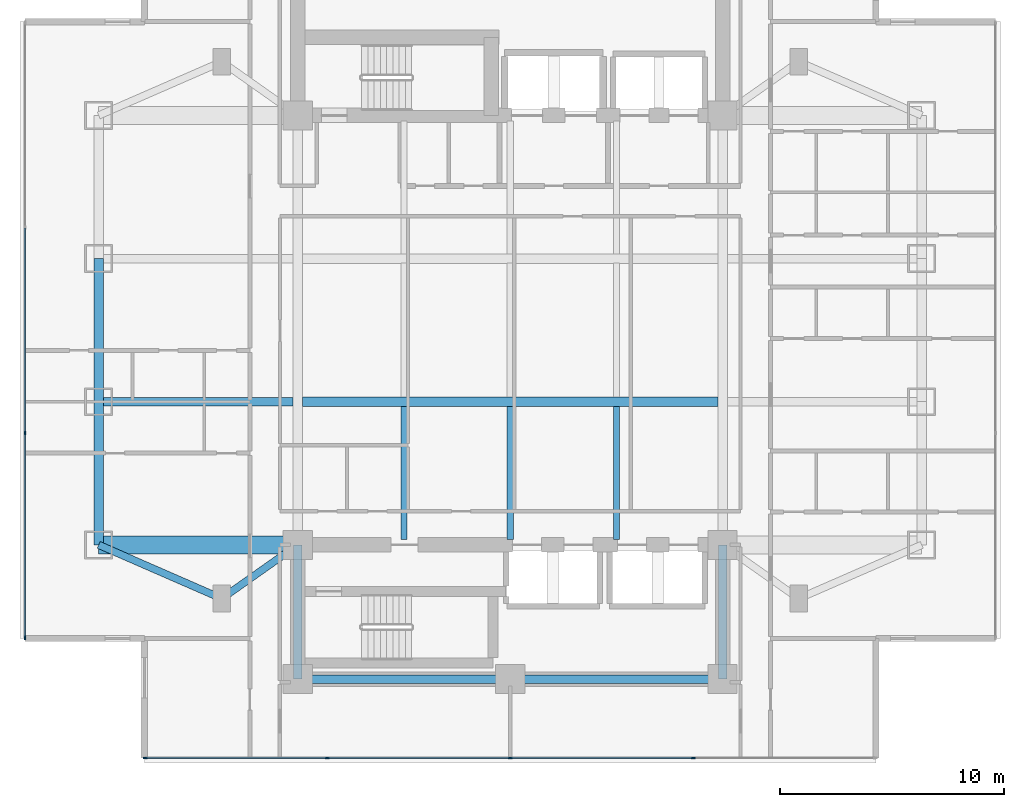
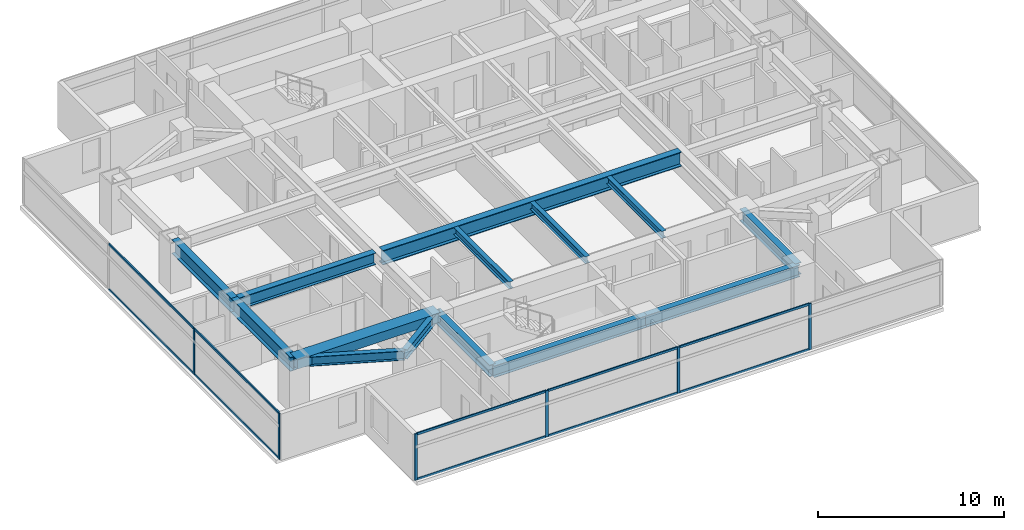
# One storey, part 2 of 24: 16 members, 14 beams, 2 elements without a shape of their own.
"""IFC4 building model written with IfcOpenShell, lengths in metres."""

from ifc_helpers import new_model, si_unit, direction, frame, origin, origin_2d, place, context, subcontext, project, spatial, rectangle, i_section, extrude, material, material_profile, profile_set, type_object, element, aggregate, save


model = new_model("IFC4")

# Units and contexts
model_context = context("Model", 3, precision=1e-05, world=origin(), true_north=direction((0.0, 1.0)))
body_context = subcontext(model_context, "Body", "Model", "MODEL_VIEW")
ifc_project = project(units=[si_unit("LENGTHUNIT", "METRE"), si_unit("AREAUNIT", "SQUARE_METRE"), si_unit("VOLUMEUNIT", "CUBIC_METRE"), si_unit("PLANEANGLEUNIT", "RADIAN"), si_unit("MASSUNIT", "GRAM", prefix="KILO")], contexts=[model_context])

# Site, building, storey
site_placement = place(None, origin())
site = spatial("IfcSite", under=ifc_project, at=site_placement, CompositionType="ELEMENT")
building_placement = place(site_placement, origin())
building = spatial("IfcBuilding", under=site, at=building_placement, Name="Mirazonda Arch Towers", CompositionType="ELEMENT")
storey_placement = place(building_placement, frame((0.0, 0.0, 65.300048828125)))
storey = spatial("IfcBuildingStorey", under=building, at=storey_placement, Name="L18", CompositionType="ELEMENT", Elevation=65.300048828125)

# Beams
ifc_material_1 = material(Name="Steel ASTM A992 Grade 50", Category="steel")
ifc_material_profile_1 = material_profile(ifc_material_1, i_section(OverallWidth=0.41796875, OverallDepth=0.927001953125, WebThickness=0.019287109375, FlangeThickness=0.031982421875, at=origin_2d()), Name="W36X231")
ifc_profile_set_1 = profile_set([ifc_material_profile_1], Name="Steel ASTM A992 Grade 50")
beam_type_1 = type_object("IfcBeamType", Name="BM-EXT-W36X231", PredefinedType="USERDEFINED", material=ifc_profile_set_1)
beam_1_placement = place(storey_placement, frame((2.10009765625, 18.39990234375, 2.596435546875), z_axis=(0.0, 1.0, 0.0), x_axis=(-1.0, 0.0, 0.0)))
element("IfcBeam", 1, at=beam_1_placement, inside=storey, type_object=beam_type_1, Name="L18 Floor Beam BM-T1-L18-NS-W-18", ObjectType="GIRDER", PredefinedType="USERDEFINED", context=body_context, shape_type="SweptSolid", body=[
    extrude(i_section(OverallWidth=0.41796875, OverallDepth=0.927001953125, WebThickness=0.019287109375, FlangeThickness=0.031982421875, at=origin_2d()), origin(), (0.0, 0.0, 1.0), 6.400146484375),
])
beam_2_placement = place(storey_placement, frame((2.10009765625, 24.800048828125, 2.596435546875), z_axis=(0.0, 1.0, 0.0), x_axis=(-1.0, 0.0, 0.0)))
element("IfcBeam", 2, at=beam_2_placement, inside=storey, type_object=beam_type_1, Name="L18 Floor Beam BM-T1-L18-NS-W-24", ObjectType="GIRDER", PredefinedType="USERDEFINED", context=body_context, shape_type="SweptSolid", body=[
    extrude(i_section(OverallWidth=0.41796875, OverallDepth=0.927001953125, WebThickness=0.019287109375, FlangeThickness=0.031982421875, at=origin_2d()), origin(), (0.0, 0.0, 1.0), 6.39990234375),
])
ifc_material_profile_2 = material_profile(ifc_material_1, i_section(OverallWidth=0.280029296875, OverallDepth=0.462890625, WebThickness=0.0107421875, FlangeThickness=0.017333984375, at=origin_2d()), Name="W18X76")
ifc_profile_set_2 = profile_set([ifc_material_profile_2], Name="Steel ASTM A992 Grade 50")
beam_type_2 = type_object("IfcBeamType", Name="BM-INT-W18X76", PredefinedType="JOIST", material=ifc_profile_set_2)
for number, where, z_axis, x_axis, name in (
    (3, (15.75, 18.639892578125, 2.828369140625), (0.0, 1.0, 0.0), (-1.0, 0.0, 0.0), "L18 Floor Beam BM-T1-L18-J-157-18"),
    (4, (20.5, 18.639892578125, 2.828369140625), (0.0, 1.0, 0.0), (-1.0, 0.0, 0.0), "L18 Floor Beam BM-T1-L18-J-205-18"),
    (5, (25.25, 18.639892578125, 2.828369140625), (0.0, 1.0, 0.0), (-1.0, 0.0, 0.0), "L18 Floor Beam BM-T1-L18-J-252-18"),
):
    element("IfcBeam", number, at=place(storey_placement, frame(where, z_axis=z_axis, x_axis=x_axis)), inside=storey, type_object=beam_type_2, Name=name, PredefinedType="JOIST", context=body_context, shape_type="SweptSolid", body=[
        extrude(i_section(OverallWidth=0.280029296875, OverallDepth=0.462890625, WebThickness=0.0107421875, FlangeThickness=0.017333984375, at=origin_2d()), origin(), (0.0, 0.0, 1.0), 5.95263671875),
    ])
ifc_material_profile_3 = material_profile(ifc_material_1, i_section(OverallWidth=0.324951171875, OverallDepth=0.615966796875, WebThickness=0.013916015625, FlangeThickness=0.021484375, at=origin_2d()), Name="W24X117")
ifc_profile_set_3 = profile_set([ifc_material_profile_3], Name="Steel ASTM A992 Grade 50")
beam_type_3 = type_object("IfcBeamType", Name="BM-INT-W24X117", PredefinedType="BEAM", material=ifc_profile_set_3)
beam_3_placement = place(storey_placement, frame((7.60009765625, 16.0, 2.751953125), z_axis=(0.816971114901, 0.576678591087, 0.0), x_axis=(-0.576678591087, 0.816971114901, 0.0)))
element("IfcBeam", 6, at=beam_3_placement, inside=storey, type_object=beam_type_3, Name="L18 Floor Beam BM-T1-L18-PL-SW1", PredefinedType="BEAM", context=body_context, shape_type="SweptSolid", body=[
    extrude(i_section(OverallWidth=0.324951171875, OverallDepth=0.615966796875, WebThickness=0.013916015625, FlangeThickness=0.021484375, at=origin_2d()), origin(), (0.0, 0.0, 1.0), 4.16162109375),
])
beam_4_placement = place(storey_placement, frame((7.60009765625, 16.0, 2.751953125), z_axis=(-0.916545343703, 0.399930785183, 0.0), x_axis=(-0.399930785183, -0.916545343703, 0.0)))
element("IfcBeam", 7, at=beam_4_placement, inside=storey, type_object=beam_type_3, Name="L18 Floor Beam BM-T1-L18-PL-SW2", PredefinedType="BEAM", context=body_context, shape_type="SweptSolid", body=[
    extrude(i_section(OverallWidth=0.324951171875, OverallDepth=0.615966796875, WebThickness=0.013916015625, FlangeThickness=0.021484375, at=origin_2d()), origin(), (0.0, 0.0, 1.0), 6.000732421875),
])
ifc_material_profile_4 = material_profile(ifc_material_1, i_section(OverallWidth=0.381103515625, OverallDepth=0.77294921875, WebThickness=0.0166015625, FlangeThickness=0.027099609375, at=origin_2d()), Name="W30X173")
ifc_profile_set_4 = profile_set([ifc_material_profile_4], Name="Steel ASTM A992 Grade 50")
beam_type_4 = type_object("IfcBeamType", Name="BM-INT-W30X173", PredefinedType="USERDEFINED", material=ifc_profile_set_4)
beam_5_placement = place(storey_placement, frame((2.10009765625, 24.800048828125, 2.67333984375), z_axis=(1.0, 0.0, 0.0), x_axis=(0.0, 1.0, 0.0)))
element("IfcBeam", 8, at=beam_5_placement, inside=storey, type_object=beam_type_4, Name="L18 Floor Beam BM-T1-L18-GW2", ObjectType="GIRDER", PredefinedType="USERDEFINED", context=body_context, shape_type="SweptSolid", body=[
    extrude(i_section(OverallWidth=0.381103515625, OverallDepth=0.77294921875, WebThickness=0.0166015625, FlangeThickness=0.027099609375, at=origin_2d()), origin(), (0.0, 0.0, 1.0), 8.6884765625),
])
for number, where, z_axis, x_axis, name in (
    (9, (11.0, 12.39990234375, 2.67333984375), (1.0, 0.0, 0.0), (0.0, 1.0, 0.0), "L18 Floor Beam BM-T1-L18-CS1"),
    (10, (20.5, 12.39990234375, 2.67333984375), (1.0, 0.0, 0.0), (0.0, 1.0, 0.0), "L18 Floor Beam BM-T1-L18-CS2"),
):
    element("IfcBeam", number, at=place(storey_placement, frame(where, z_axis=z_axis, x_axis=x_axis)), inside=storey, type_object=beam_type_4, Name=name, ObjectType="GIRDER", PredefinedType="USERDEFINED", context=body_context, shape_type="SweptSolid", body=[
        extrude(i_section(OverallWidth=0.381103515625, OverallDepth=0.77294921875, WebThickness=0.0166015625, FlangeThickness=0.027099609375, at=origin_2d()), origin(), (0.0, 0.0, 1.0), 9.5),
    ])
for number, where, z_axis, x_axis, name in (
    (11, (11.0, 12.39990234375, 2.67333984375), (0.0, 1.0, 0.0), (-1.0, 0.0, 0.0), "L18 Floor Beam BM-T1-L18-CSW"),
    (12, (30.0, 12.39990234375, 2.67333984375), (0.0, 1.0, 0.0), (-1.0, 0.0, 0.0), "L18 Floor Beam BM-T1-L18-CSE"),
):
    element("IfcBeam", number, at=place(storey_placement, frame(where, z_axis=z_axis, x_axis=x_axis)), inside=storey, type_object=beam_type_4, Name=name, ObjectType="GIRDER", PredefinedType="USERDEFINED", context=body_context, shape_type="SweptSolid", body=[
        extrude(i_section(OverallWidth=0.381103515625, OverallDepth=0.77294921875, WebThickness=0.0166015625, FlangeThickness=0.027099609375, at=origin_2d()), origin(), (0.0, 0.0, 1.0), 6.0),
    ])
ifc_material_profile_5 = material_profile(ifc_material_1, i_section(OverallWidth=0.423095703125, OverallDepth=0.947998046875, WebThickness=0.02392578125, FlangeThickness=0.042724609375, at=origin_2d()), Name="W36X302")
ifc_profile_set_5 = profile_set([ifc_material_profile_5], Name="Steel ASTM A992 Grade 50")
beam_type_5 = type_object("IfcBeamType", Name="BM-INT-W36X302", PredefinedType="USERDEFINED", material=ifc_profile_set_5)
beam_6_placement = place(storey_placement, frame((11.21142578125, 24.800048828125, 2.5859375), z_axis=(1.0, 0.0, 0.0), x_axis=(0.0, 1.0, 0.0)))
element("IfcBeam", 13, at=beam_6_placement, inside=storey, type_object=beam_type_5, Name="L18 Floor Beam BM-T1-L18-GC2", ObjectType="GIRDER", PredefinedType="USERDEFINED", context=body_context, shape_type="SweptSolid", body=[
    extrude(i_section(OverallWidth=0.423095703125, OverallDepth=0.947998046875, WebThickness=0.02392578125, FlangeThickness=0.042724609375, at=origin_2d()), origin(), (0.0, 0.0, 1.0), 18.5771484375),
])
ifc_material_2 = material(Name="Concrete C60/75", Category="concrete")
ifc_material_profile_6 = material_profile(ifc_material_2, rectangle(XDim=0.800048828125, YDim=0.60009765625, at=origin_2d()), Name="RCCB800x600")
ifc_profile_set_6 = profile_set([ifc_material_profile_6], Name="Concrete C60/75")
beam_type_6 = type_object("IfcBeamType", Name="CB-INT-RCCB800x600", PredefinedType="SPANDREL", material=ifc_profile_set_6)
beam_7_placement = place(storey_placement, frame((2.10009765625, 18.39990234375, 2.760009765625), z_axis=(1.0, 0.0, 0.0), x_axis=(0.0, 1.0, 0.0)))
element("IfcBeam", 14, at=beam_7_placement, inside=storey, type_object=beam_type_6, Name="L18 Floor Beam CBC-T1-L18-SW", PredefinedType="SPANDREL", context=body_context, shape_type="SweptSolid", body=[
    extrude(rectangle(XDim=0.800048828125, YDim=0.60009765625, at=origin_2d()), origin(), (0.0, 0.0, 1.0), 8.89990234375),
])

# Curtain wall, members
ifc_material_3 = material(Name="Anodised Aluminium and Low-E Glass", Category="aluminium")
curtain_wall_type = type_object("IfcCurtainWallType", Name="CW-HTL-UNIT", PredefinedType="NOTDEFINED", material=ifc_material_3)
curtain_wall_1_placement = place(storey_placement, origin())
curtain_wall_1 = element("IfcCurtainWall", 15, at=curtain_wall_1_placement, inside=storey, type_object=curtain_wall_type, Name="L18 T1 S Facade CW-L18-T1-S", PredefinedType="NOTDEFINED")
ifc_material_4 = material(Name="Anodised Aluminium Alloy", Category="aluminium")
ifc_material_profile_7 = material_profile(ifc_material_4, rectangle(XDim=0.074951171875, YDim=0.1650390625, at=origin_2d()), Name="ALU-MULL-75x165")
ifc_profile_set_7 = profile_set([ifc_material_profile_7], Name="Anodised Aluminium Alloy")
member_type_1 = type_object("IfcMemberType", Name="MULL-CW-HTL-UNIT", PredefinedType="MULLION", material=ifc_profile_set_7)
member_1_placement = place(storey_placement, frame((28.679931640625, 8.867919921875, 0.0), z_axis=(0.0, 0.0, 1.0), x_axis=(0.0, -1.0, 0.0)))
member_1 = element("IfcMember", 16, at=member_1_placement, type_object=member_type_1, Name="CW-112 mullion 2", PredefinedType="MULLION", context=body_context, shape_type="SweptSolid", body=[
    extrude(rectangle(XDim=0.074951171875, YDim=0.1650390625, at=origin_2d()), origin(), (0.0, 0.0, 1.0), 3.0400390625),
])
member_2_placement = place(storey_placement, frame((20.5, 8.867919921875, 0.0), z_axis=(0.0, 0.0, 1.0), x_axis=(0.0, -1.0, 0.0)))
member_2 = element("IfcMember", 17, at=member_2_placement, type_object=member_type_1, Name="CW-112 mullion 3", PredefinedType="MULLION", context=body_context, shape_type="SweptSolid", body=[
    extrude(rectangle(XDim=0.074951171875, YDim=0.1650390625, at=origin_2d()), origin(), (0.0, 0.0, 1.0), 3.0400390625),
])
member_3_placement = place(storey_placement, frame((12.320068359375, 8.867919921875, 0.0), z_axis=(0.0, 0.0, 1.0), x_axis=(0.0, -1.0, 0.0)))
member_3 = element("IfcMember", 18, at=member_3_placement, type_object=member_type_1, Name="CW-112 mullion 4", PredefinedType="MULLION", context=body_context, shape_type="SweptSolid", body=[
    extrude(rectangle(XDim=0.074951171875, YDim=0.1650390625, at=origin_2d()), origin(), (0.0, 0.0, 1.0), 3.0400390625),
])
member_4_placement = place(storey_placement, frame((4.177490234375, 8.867919921875, 0.0), z_axis=(0.0, 0.0, 1.0), x_axis=(0.0, -1.0, 0.0)))
member_4 = element("IfcMember", 19, at=member_4_placement, type_object=member_type_1, Name="CW-112 mullion 5", PredefinedType="MULLION", context=body_context, shape_type="SweptSolid", body=[
    extrude(rectangle(XDim=0.074951171875, YDim=0.1650390625, at=origin_2d()), origin(), (0.0, 0.0, 1.0), 3.0400390625),
])

curtain_wall_2_placement = place(storey_placement, origin())
curtain_wall_2 = element("IfcCurtainWall", 20, at=curtain_wall_2_placement, inside=storey, type_object=curtain_wall_type, Name="L18 T1 W Facade CW-L18-T1-W", PredefinedType="NOTDEFINED")
member_5_placement = place(storey_placement, frame((-1.199951171875, 23.402587890625, 0.0), z_axis=(0.0, 0.0, 1.0), x_axis=(1.0, 0.0, 0.0)))
member_5 = element("IfcMember", 21, at=member_5_placement, type_object=member_type_1, Name="CW-112 mullion 3", PredefinedType="MULLION", context=body_context, shape_type="SweptSolid", body=[
    extrude(rectangle(XDim=0.074951171875, YDim=0.1650390625, at=origin_2d()), origin(), (0.0, 0.0, 1.0), 3.0400390625),
])
member_6_placement = place(storey_placement, frame((-1.199951171875, 14.24560546875, 0.0), z_axis=(0.0, 0.0, 1.0), x_axis=(1.0, 0.0, 0.0)))
member_6 = element("IfcMember", 22, at=member_6_placement, type_object=member_type_1, Name="CW-112 mullion 4", PredefinedType="MULLION", context=body_context, shape_type="SweptSolid", body=[
    extrude(rectangle(XDim=0.074951171875, YDim=0.1650390625, at=origin_2d()), origin(), (0.0, 0.0, 1.0), 3.0400390625),
])

# Member
ifc_material_profile_8 = material_profile(ifc_material_4, rectangle(XDim=0.074951171875, YDim=0.14501953125, at=origin_2d()), Name="ALU-TRAN-75x145")
ifc_profile_set_8 = profile_set([ifc_material_profile_8], Name="Anodised Aluminium Alloy")
member_type_2 = type_object("IfcMemberType", Name="TRAN-CW-HTL-UNIT", PredefinedType="USERDEFINED", material=ifc_profile_set_8)
member_7_placement = place(storey_placement, frame((28.642578125, 8.867919921875, 0.037353515625), z_axis=(-1.0, 0.0, 0.0), x_axis=(0.0, -1.0, 0.0)))
member_7 = element("IfcMember", 23, at=member_7_placement, type_object=member_type_2, Name="CW-112 transom 2.1", ObjectType="TRANSOM", PredefinedType="USERDEFINED", context=body_context, shape_type="SweptSolid", body=[
    extrude(rectangle(XDim=0.074951171875, YDim=0.14501953125, at=origin_2d()), origin(), (0.0, 0.0, 1.0), 8.10498046875),
])

member_8_placement = place(storey_placement, frame((28.642578125, 8.867919921875, 3.00244140625), z_axis=(-1.0, 0.0, 0.0), x_axis=(0.0, -1.0, 0.0)))
member_8 = element("IfcMember", 24, at=member_8_placement, type_object=member_type_2, Name="CW-112 transom 2.2", ObjectType="TRANSOM", PredefinedType="USERDEFINED", context=body_context, shape_type="SweptSolid", body=[
    extrude(rectangle(XDim=0.074951171875, YDim=0.14501953125, at=origin_2d()), origin(), (0.0, 0.0, 1.0), 8.10498046875),
])

member_9_placement = place(storey_placement, frame((20.46240234375, 8.867919921875, 0.037353515625), z_axis=(-1.0, 0.0, 0.0), x_axis=(0.0, -1.0, 0.0)))
member_9 = element("IfcMember", 25, at=member_9_placement, type_object=member_type_2, Name="CW-112 transom 3.1", ObjectType="TRANSOM", PredefinedType="USERDEFINED", context=body_context, shape_type="SweptSolid", body=[
    extrude(rectangle(XDim=0.074951171875, YDim=0.14501953125, at=origin_2d()), origin(), (0.0, 0.0, 1.0), 8.10498046875),
])

member_10_placement = place(storey_placement, frame((20.46240234375, 8.867919921875, 3.00244140625), z_axis=(-1.0, 0.0, 0.0), x_axis=(0.0, -1.0, 0.0)))
member_10 = element("IfcMember", 26, at=member_10_placement, type_object=member_type_2, Name="CW-112 transom 3.2", ObjectType="TRANSOM", PredefinedType="USERDEFINED", context=body_context, shape_type="SweptSolid", body=[
    extrude(rectangle(XDim=0.074951171875, YDim=0.14501953125, at=origin_2d()), origin(), (0.0, 0.0, 1.0), 8.10498046875),
])

member_11_placement = place(storey_placement, frame((12.282470703125, 8.867919921875, 0.037353515625), z_axis=(-1.0, 0.0, 0.0), x_axis=(0.0, -1.0, 0.0)))
member_11 = element("IfcMember", 27, at=member_11_placement, type_object=member_type_2, Name="CW-112 transom 4.1", ObjectType="TRANSOM", PredefinedType="USERDEFINED", context=body_context, shape_type="SweptSolid", body=[
    extrude(rectangle(XDim=0.074951171875, YDim=0.14501953125, at=origin_2d()), origin(), (0.0, 0.0, 1.0), 8.0673828125),
])

member_12_placement = place(storey_placement, frame((12.282470703125, 8.867919921875, 3.00244140625), z_axis=(-1.0, 0.0, 0.0), x_axis=(0.0, -1.0, 0.0)))
member_12 = element("IfcMember", 28, at=member_12_placement, type_object=member_type_2, Name="CW-112 transom 4.2", ObjectType="TRANSOM", PredefinedType="USERDEFINED", context=body_context, shape_type="SweptSolid", body=[
    extrude(rectangle(XDim=0.074951171875, YDim=0.14501953125, at=origin_2d()), origin(), (0.0, 0.0, 1.0), 8.0673828125),
])

aggregate(curtain_wall_1, [member_1, member_2, member_3, member_4, member_7, member_8, member_9, member_10, member_11, member_12])

member_13_placement = place(storey_placement, frame((-1.199951171875, 32.559814453125, 0.037353515625), z_axis=(0.0, -1.0, 0.0), x_axis=(1.0, 0.0, 0.0)))
member_13 = element("IfcMember", 29, at=member_13_placement, type_object=member_type_2, Name="CW-112 transom 2.1", ObjectType="TRANSOM", PredefinedType="USERDEFINED", context=body_context, shape_type="SweptSolid", body=[
    extrude(rectangle(XDim=0.074951171875, YDim=0.14501953125, at=origin_2d()), origin(), (0.0, 0.0, 1.0), 9.11962890625),
])

member_14_placement = place(storey_placement, frame((-1.199951171875, 32.559814453125, 3.00244140625), z_axis=(0.0, -1.0, 0.0), x_axis=(1.0, 0.0, 0.0)))
member_14 = element("IfcMember", 30, at=member_14_placement, type_object=member_type_2, Name="CW-112 transom 2.2", ObjectType="TRANSOM", PredefinedType="USERDEFINED", context=body_context, shape_type="SweptSolid", body=[
    extrude(rectangle(XDim=0.074951171875, YDim=0.14501953125, at=origin_2d()), origin(), (0.0, 0.0, 1.0), 9.11962890625),
])

member_15_placement = place(storey_placement, frame((-1.199951171875, 23.365234375, 0.037353515625), z_axis=(0.0, -1.0, 0.0), x_axis=(1.0, 0.0, 0.0)))
member_15 = element("IfcMember", 31, at=member_15_placement, type_object=member_type_2, Name="CW-112 transom 3.1", ObjectType="TRANSOM", PredefinedType="USERDEFINED", context=body_context, shape_type="SweptSolid", body=[
    extrude(rectangle(XDim=0.074951171875, YDim=0.14501953125, at=origin_2d()), origin(), (0.0, 0.0, 1.0), 9.082275390625),
])

member_16_placement = place(storey_placement, frame((-1.199951171875, 23.365234375, 3.00244140625), z_axis=(0.0, -1.0, 0.0), x_axis=(1.0, 0.0, 0.0)))
member_16 = element("IfcMember", 32, at=member_16_placement, type_object=member_type_2, Name="CW-112 transom 3.2", ObjectType="TRANSOM", PredefinedType="USERDEFINED", context=body_context, shape_type="SweptSolid", body=[
    extrude(rectangle(XDim=0.074951171875, YDim=0.14501953125, at=origin_2d()), origin(), (0.0, 0.0, 1.0), 9.082275390625),
])

aggregate(curtain_wall_2, [member_5, member_6, member_13, member_14, member_15, member_16])

save(model, "model.ifc")
